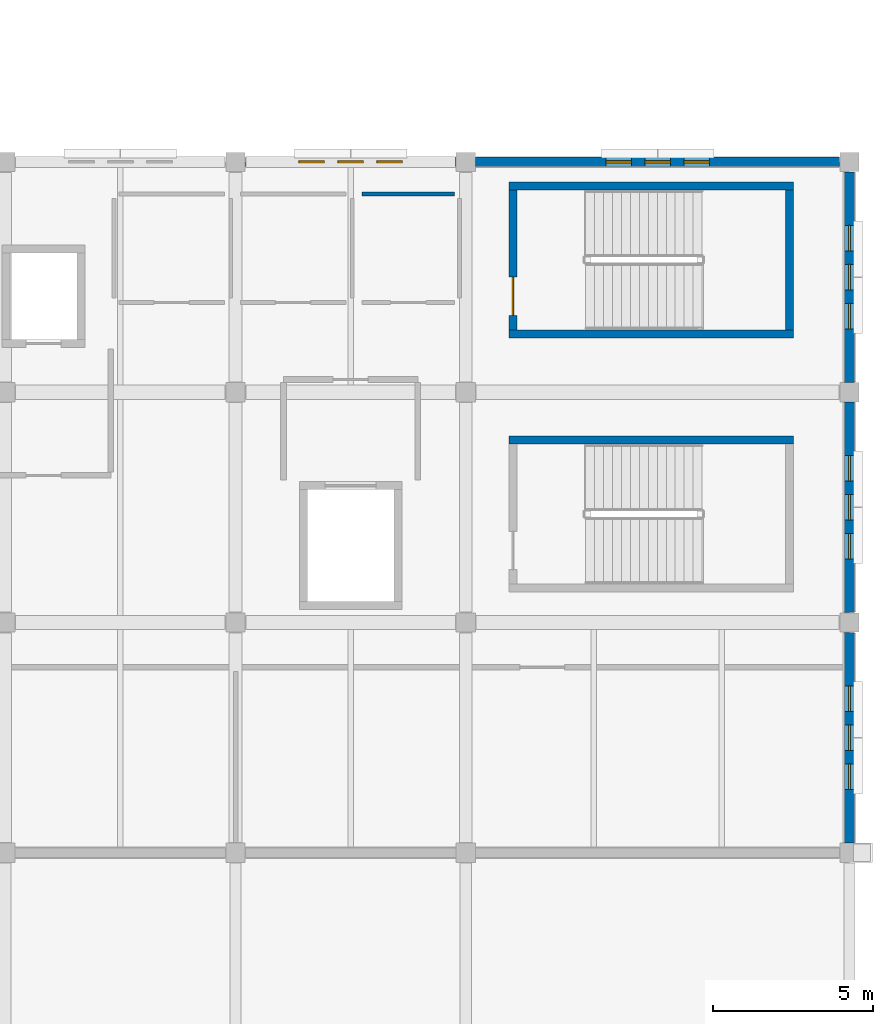
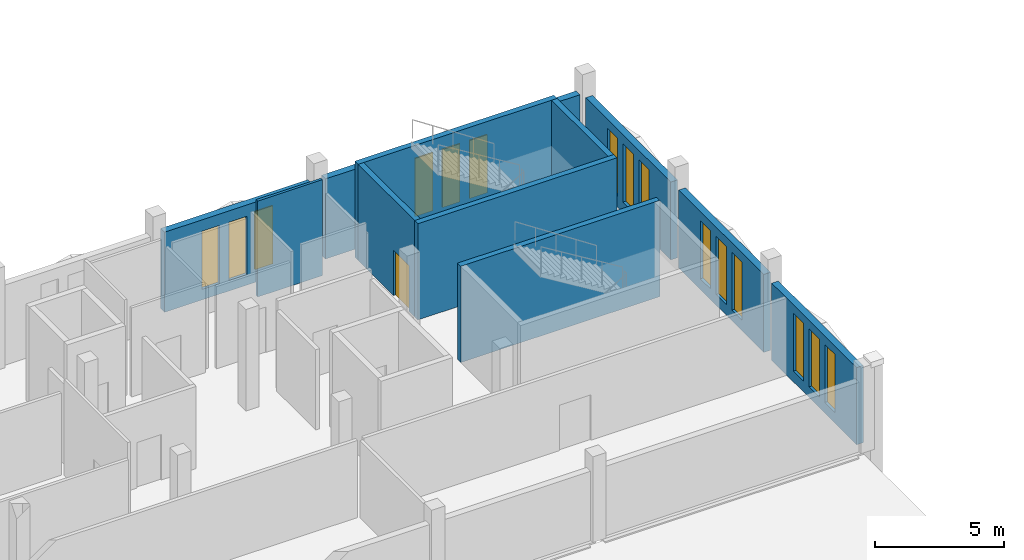
# One storey, part 12 of 23: 15 windows, 11 walls, 1 door, 16 openings.
"""IFC4 building model written with IfcOpenShell, lengths in metres."""

import ifcopenshell
import ifcopenshell.guid

model = None  # the IFC model being written
_history = None  # IfcOwnerHistory: only IFC2X3 demands one
_inside = {}  # id of a spatial element -> (the spatial element, [elements in it])
_under = {}  # id of a project, library or spatial element -> (it, [spatial elements below it])
_declared = {}  # id of a project -> (the project, [libraries it declares])
_typed = {}  # id of a type object -> (the type object, [elements of that type])
_made_of = {}  # id of a material, layer set ... -> (it, [elements and type objects made of it])


def new_model(schema):
    """Start an empty IFC model of exactly this schema.

    Asked for "IFC4X3", IfcOpenShell would pick the latest addendum, in which some entities
    have other attributes; the version numbers below select the first issue.
    IFC2X3 requires an IfcOwnerHistory on every rooted entity: one is made here for all.
    """
    global model, _history
    if schema == "IFC4X3":
        model = ifcopenshell.file(schema_version=(4, 3, 0, 0))
    else:
        model = ifcopenshell.file(schema=schema)
    _inside.clear()
    _under.clear()
    _declared.clear()
    _typed.clear()
    _made_of.clear()
    _history = None
    if model.schema == "IFC2X3":
        org = make("IfcOrganization", Name="unknown")
        user = make(
            "IfcPersonAndOrganization",
            ThePerson=make("IfcPerson", FamilyName="unknown"),
            TheOrganization=org,
        )
        app = make(
            "IfcApplication",
            ApplicationDeveloper=org,
            Version="unknown",
            ApplicationFullName="unknown",
            ApplicationIdentifier="unknown",
        )
        _history = make(
            "IfcOwnerHistory",
            OwningUser=user,
            OwningApplication=app,
            ChangeAction="ADDED",
            CreationDate=0,
        )
    return model


def make(cls, **values):
    """One entity of the class cls with the attributes given. An attribute that is None is left unset."""
    return model.create_entity(
        cls, **{name: value for name, value in values.items() if value is not None}
    )


def rooted(cls, **values):
    """An entity with a GlobalId (a new one), such as an element, a storey or a relation."""
    return make(cls, GlobalId=ifcopenshell.guid.new(), OwnerHistory=_history, **values)


def si_unit(unit_type, name, prefix=None):
    """IfcSIUnit, for example si_unit("LENGTHUNIT", "METRE", prefix="MILLI")."""
    return make("IfcSIUnit", UnitType=unit_type, Prefix=prefix, Name=name)


def assignment(units):
    """IfcUnitAssignment: the units of a project."""
    return None if units is None else make("IfcUnitAssignment", Units=units)


def point(xyz):
    """IfcCartesianPoint."""
    return None if xyz is None else make("IfcCartesianPoint", Coordinates=xyz)


def direction(xyz):
    """IfcDirection."""
    return None if xyz is None else make("IfcDirection", DirectionRatios=xyz)


def frame(location, z_axis=None, x_axis=None):
    """IfcAxis2Placement3D, a coordinate frame: its origin and axes. An axis left out is left unset."""
    return make(
        "IfcAxis2Placement3D",
        Location=point(location),
        Axis=direction(z_axis),
        RefDirection=direction(x_axis),
    )


def frame_2d(location, x_axis=None):
    """IfcAxis2Placement2D, a coordinate frame in the plane: its origin and x axis."""
    return make(
        "IfcAxis2Placement2D", Location=point(location), RefDirection=direction(x_axis)
    )


def origin():
    """The frame at (0, 0, 0) with its axes left unset."""
    return frame((0.0, 0.0, 0.0))


def place(relative_to, where):
    """IfcLocalPlacement: puts the frame where relative to a parent placement (None: the world)."""
    return make(
        "IfcLocalPlacement", PlacementRelTo=relative_to, RelativePlacement=where
    )


def context(
    kind, dimensions, precision=None, world=None, true_north=None, identifier=None
):
    """IfcGeometricRepresentationContext, for example the 3D "Model" context."""
    return make(
        "IfcGeometricRepresentationContext",
        ContextIdentifier=identifier,
        ContextType=kind,
        CoordinateSpaceDimension=dimensions,
        Precision=precision,
        WorldCoordinateSystem=world,
        TrueNorth=true_north,
    )


def subcontext(parent, identifier, kind, view, scale=None):
    """IfcGeometricRepresentationSubContext, for example "Body" below "Model"."""
    return make(
        "IfcGeometricRepresentationSubContext",
        ContextIdentifier=identifier,
        ContextType=kind,
        ParentContext=parent,
        TargetScale=scale,
        TargetView=view,
    )


def project(units=None, contexts=None):
    """IfcProject with its units and contexts."""
    return rooted(
        "IfcProject",
        Name="project",
        RepresentationContexts=contexts,
        UnitsInContext=assignment(units),
    )


def spatial(cls, under=None, at=None, **own):
    """A site, building, storey or space (cls), placed at a placement, below another one or the project."""
    s = rooted(cls, ObjectPlacement=at, **own)
    if under is not None:
        _under.setdefault(under.id(), (under, []))[1].append(s)
    return s


def profile(cls, at=None, kind="AREA", **sizes):
    """A parametric profile (cls). Its sizes go by their IFC names, for example OverallWidth=200.0."""
    return make(cls, ProfileType=kind, Position=at, **sizes)


def rectangle(**sizes):
    """IfcRectangleProfileDef."""
    return profile("IfcRectangleProfileDef", **sizes)


def extrude(swept, where, along, depth):
    """IfcExtrudedAreaSolid: the profile swept, set in the frame where, extruded along a direction by depth."""
    return make(
        "IfcExtrudedAreaSolid",
        SweptArea=swept,
        Position=where,
        ExtrudedDirection=direction(along),
        Depth=depth,
    )


def shape(context_of_items, identifier, shape_type, items):
    """IfcShapeRepresentation: the items that make up one representation, for example the "Body"."""
    return make(
        "IfcShapeRepresentation",
        ContextOfItems=context_of_items,
        RepresentationIdentifier=identifier,
        RepresentationType=shape_type,
        Items=items,
    )


def material(Name=None, Category=None):
    """IfcMaterial."""
    return make("IfcMaterial", Name=Name, Category=Category)


def layer(
    of_material, thickness, ventilated=None, Name=None, Category=None, Priority=None
):
    """IfcMaterialLayer: one layer of a wall or slab, of a material (None: an air gap)."""
    return make(
        "IfcMaterialLayer",
        Material=of_material,
        LayerThickness=thickness,
        IsVentilated=ventilated,
        Name=Name,
        Category=Category,
        Priority=Priority,
    )


def layer_set(layers, Name=None):
    """IfcMaterialLayerSet."""
    return make("IfcMaterialLayerSet", MaterialLayers=layers, LayerSetName=Name)


def made_of(thing, what):
    """Note that an element or type object is made of a material, layer set ...; save() writes the relation."""
    if what is not None:
        _made_of.setdefault(what.id(), (what, []))[1].append(thing)
    return thing


def type_object(cls, material=None, **own):
    """A type object (cls), such as IfcWallType, which elements share."""
    return made_of(rooted(cls, **own), material)


def element(
    cls,
    number,
    at=None,
    inside=None,
    cuts=None,
    type_object=None,
    material=None,
    context=None,
    identifier="Body",
    shape_type=None,
    held_by="IfcProductDefinitionShape",
    body=None,
    shapes=None,
    **own,
):
    """One element of the class cls, such as IfcWall. Its Tag is "e" and its number.

    at: its placement. inside: the storey or other place that contains it. cuts: it is an
    opening in that element (IfcRelVoidsElement). A single representation is given by context,
    identifier, shape_type and body (its items); several are given by shapes. held_by: the class
    of the entity that holds the representations. save() writes the other relations.
    """
    e = rooted(cls, Tag="e%d" % number, ObjectPlacement=at, **own)
    if body is not None:
        shapes = [shape(context, identifier, shape_type, body)]
    if shapes is not None:
        e.Representation = make(held_by, Representations=shapes)
    if inside is not None:
        _inside.setdefault(inside.id(), (inside, []))[1].append(e)
    if cuts is not None:
        rooted(
            "IfcRelVoidsElement", RelatingBuildingElement=cuts, RelatedOpeningElement=e
        )
    if type_object is not None:
        _typed.setdefault(type_object.id(), (type_object, []))[1].append(e)
    return made_of(e, material)


def fill(opening, filler):
    """IfcRelFillsElement: the door or window that sits in an opening."""
    return rooted(
        "IfcRelFillsElement",
        RelatingOpeningElement=opening,
        RelatedBuildingElement=filler,
    )


def aggregate(whole, parts):
    """IfcRelAggregates: a whole, such as a stair, and the parts it consists of."""
    return rooted("IfcRelAggregates", RelatingObject=whole, RelatedObjects=parts)


def save(model, path):
    """Write the relations noted so far, then the file.

    IfcRelAggregates (storeys below a building ...), IfcRelContainedInSpatialStructure (elements
    in a storey), IfcRelDefinesByType, IfcRelAssociatesMaterial and IfcRelDeclares: one each for
    every whole, place, type object, material and project.
    """
    for whole, parts in _under.values():
        aggregate(whole, parts)
    for where, things in _inside.values():
        rooted(
            "IfcRelContainedInSpatialStructure",
            RelatedElements=things,
            RelatingStructure=where,
        )
    for kind, things in _typed.values():
        rooted("IfcRelDefinesByType", RelatedObjects=things, RelatingType=kind)
    for what, things in _made_of.values():
        rooted("IfcRelAssociatesMaterial", RelatedObjects=things, RelatingMaterial=what)
    for by, libraries in _declared.values():
        rooted("IfcRelDeclares", RelatingContext=by, RelatedDefinitions=libraries)
    model.write(path)


model = new_model("IFC4")

# Units and contexts
model_context = context("Model", 3, precision=1e-05, world=origin(), true_north=direction((0.0, 1.0)))
body_context = subcontext(model_context, "Body", "Model", "MODEL_VIEW")
ifc_project = project(units=[si_unit("LENGTHUNIT", "METRE"), si_unit("AREAUNIT", "SQUARE_METRE"), si_unit("VOLUMEUNIT", "CUBIC_METRE"), si_unit("PLANEANGLEUNIT", "RADIAN"), si_unit("MASSUNIT", "GRAM", prefix="KILO")], contexts=[model_context])

# Site, building, storey
site_placement = place(None, origin())
site = spatial("IfcSite", under=ifc_project, at=site_placement, CompositionType="ELEMENT")
building_placement = place(site_placement, origin())
building = spatial("IfcBuilding", under=site, at=building_placement, Name="Cendralis Lancet Convention Centre", CompositionType="ELEMENT")
storey_placement = place(building_placement, frame((0.0, 0.0, 19.800048828125)))
storey = spatial("IfcBuildingStorey", under=building, at=storey_placement, Name="L04", CompositionType="ELEMENT", Elevation=19.800048828125)

# Wall, openings, windows
ifc_material_1 = material(Name="Buff sandstone ashlar and Concrete G40 (C40/50)", Category="masonry")
ifc_layer_1 = layer(ifc_material_1, 0.300048828125, Name="Buff sandstone ashlar and Concrete G40 (C40/50)")
ifc_layer_set_1 = layer_set([ifc_layer_1], Name="Buff sandstone ashlar and Concrete G40 (C40/50)")
wall_type_1 = type_object("IfcWallType", Name="ARC-EW-W300", PredefinedType="STANDARD", material=ifc_layer_set_1)
wall_1_placement = place(storey_placement, frame((189.907958984375, 36.0, 0.0), z_axis=(0.0, 0.0, 1.0), x_axis=(1.0, 0.0, 0.0)))
wall_1 = element("IfcWall", 1, at=wall_1_placement, inside=storey, type_object=wall_type_1, Name="L04 V5 Exterior Wall EW-07 #0343", PredefinedType="STANDARD", context=body_context, shape_type="SweptSolid", body=[
    extrude(rectangle(XDim=6.583984375, YDim=0.300048828125, at=frame_2d((3.2919921875, 0.0))), origin(), (0.0, 0.0, 1.0), 3.784912109375),
])
opening_1_placement = place(wall_1_placement, frame((1.672119140625, 0.0, 0.5)))
opening_1 = element("IfcOpeningElement", 2, at=opening_1_placement, cuts=wall_1, Name="Opening WN-07", PredefinedType="OPENING", context=body_context, shape_type="SweptSolid", body=[
    extrude(rectangle(XDim=0.800048828125, YDim=2.75, at=frame_2d((0.39990234375, 1.375))), frame((0.0, 0.159912109375, 0.0), z_axis=(0.0, -1.0, 0.0), x_axis=(1.0, 0.0, 0.0)), (0.0, 0.0, 1.0), 0.320068359375),
])
opening_2_placement = place(wall_1_placement, frame((2.89208984375, 0.0, 0.5)))
opening_2 = element("IfcOpeningElement", 3, at=opening_2_placement, cuts=wall_1, Name="Opening WN-07", PredefinedType="OPENING", context=body_context, shape_type="SweptSolid", body=[
    extrude(rectangle(XDim=0.800048828125, YDim=2.75, at=frame_2d((0.39990234375, 1.375))), frame((0.0, 0.159912109375, 0.0), z_axis=(0.0, -1.0, 0.0), x_axis=(1.0, 0.0, 0.0)), (0.0, 0.0, 1.0), 0.320068359375),
])
opening_3_placement = place(wall_1_placement, frame((4.112060546875, 0.0, 0.5)))
opening_3 = element("IfcOpeningElement", 4, at=opening_3_placement, cuts=wall_1, Name="Opening WN-07", PredefinedType="OPENING", context=body_context, shape_type="SweptSolid", body=[
    extrude(rectangle(XDim=0.800048828125, YDim=2.75, at=frame_2d((0.39990234375, 1.375))), frame((0.0, 0.159912109375, 0.0), z_axis=(0.0, -1.0, 0.0), x_axis=(1.0, 0.0, 0.0)), (0.0, 0.0, 1.0), 0.320068359375),
])
ifc_material_2 = material(Name="Double-glazed low-E solar-control glass", Category="glass")
window_type = type_object("IfcWindowType", Name="ARC-WN-LW07", PartitioningType="SINGLE_PANEL", PredefinedType="WINDOW", material=ifc_material_2)
window_1_placement = place(opening_1_placement, origin())
window_1 = element("IfcWindow", 5, at=window_1_placement, inside=storey, type_object=window_type, Name="Gothic Lancet Window WN-07 #0661", OverallHeight=2.75, OverallWidth=0.800048828125, PartitioningType="SINGLE_PANEL", PredefinedType="WINDOW", context=body_context, shape_type="SweptSolid", body=[
    extrude(rectangle(XDim=0.800048828125, YDim=2.75, at=frame_2d((0.39990234375, 1.375))), frame((0.0, 0.030029296875, 0.0), z_axis=(0.0, -1.0, 0.0), x_axis=(1.0, 0.0, 0.0)), (0.0, 0.0, 1.0), 0.06005859375),
])
fill(opening_1, window_1)
window_2_placement = place(opening_2_placement, origin())
window_2 = element("IfcWindow", 6, at=window_2_placement, inside=storey, type_object=window_type, Name="Gothic Lancet Window WN-07 #0662", OverallHeight=2.75, OverallWidth=0.800048828125, PartitioningType="SINGLE_PANEL", PredefinedType="WINDOW", context=body_context, shape_type="SweptSolid", body=[
    extrude(rectangle(XDim=0.800048828125, YDim=2.75, at=frame_2d((0.39990234375, 1.375))), frame((0.0, 0.030029296875, 0.0), z_axis=(0.0, -1.0, 0.0), x_axis=(1.0, 0.0, 0.0)), (0.0, 0.0, 1.0), 0.06005859375),
])
fill(opening_2, window_2)
window_3_placement = place(opening_3_placement, origin())
window_3 = element("IfcWindow", 7, at=window_3_placement, inside=storey, type_object=window_type, Name="Gothic Lancet Window WN-07 #0663", OverallHeight=2.75, OverallWidth=0.800048828125, PartitioningType="SINGLE_PANEL", PredefinedType="WINDOW", context=body_context, shape_type="SweptSolid", body=[
    extrude(rectangle(XDim=0.800048828125, YDim=2.75, at=frame_2d((0.39990234375, 1.375))), frame((0.0, 0.030029296875, 0.0), z_axis=(0.0, -1.0, 0.0), x_axis=(1.0, 0.0, 0.0)), (0.0, 0.0, 1.0), 0.06005859375),
])
fill(opening_3, window_3)

wall_2_placement = place(storey_placement, frame((197.10791015625, 36.0, 0.0), z_axis=(0.0, 0.0, 1.0), x_axis=(1.0, 0.0, 0.0)))
wall_2 = element("IfcWall", 8, at=wall_2_placement, inside=storey, type_object=wall_type_1, Name="L04 V5 Exterior Wall EW-07 #0347", PredefinedType="STANDARD", context=body_context, shape_type="SweptSolid", body=[
    extrude(rectangle(XDim=11.384033203125, YDim=0.300048828125, at=frame_2d((5.69189453125, 0.0))), origin(), (0.0, 0.0, 1.0), 3.784912109375),
])
opening_4_placement = place(wall_2_placement, frame((4.072021484375, 0.0, 0.5)))
opening_4 = element("IfcOpeningElement", 9, at=opening_4_placement, cuts=wall_2, Name="Opening WN-07", PredefinedType="OPENING", context=body_context, shape_type="SweptSolid", body=[
    extrude(rectangle(XDim=0.800048828125, YDim=2.75, at=frame_2d((0.39990234375, 1.375))), frame((0.0, 0.159912109375, 0.0), z_axis=(0.0, -1.0, 0.0), x_axis=(1.0, 0.0, 0.0)), (0.0, 0.0, 1.0), 0.320068359375),
])
opening_5_placement = place(wall_2_placement, frame((5.2919921875, 0.0, 0.5)))
opening_5 = element("IfcOpeningElement", 10, at=opening_5_placement, cuts=wall_2, Name="Opening WN-07", PredefinedType="OPENING", context=body_context, shape_type="SweptSolid", body=[
    extrude(rectangle(XDim=0.800048828125, YDim=2.75, at=frame_2d((0.39990234375, 1.375))), frame((0.0, 0.159912109375, 0.0), z_axis=(0.0, -1.0, 0.0), x_axis=(1.0, 0.0, 0.0)), (0.0, 0.0, 1.0), 0.320068359375),
])
opening_6_placement = place(wall_2_placement, frame((6.511962890625, 0.0, 0.5)))
opening_6 = element("IfcOpeningElement", 11, at=opening_6_placement, cuts=wall_2, Name="Opening WN-07", PredefinedType="OPENING", context=body_context, shape_type="SweptSolid", body=[
    extrude(rectangle(XDim=0.800048828125, YDim=2.75, at=frame_2d((0.39990234375, 1.375))), frame((0.0, 0.159912109375, 0.0), z_axis=(0.0, -1.0, 0.0), x_axis=(1.0, 0.0, 0.0)), (0.0, 0.0, 1.0), 0.320068359375),
])
window_4_placement = place(opening_4_placement, origin())
window_4 = element("IfcWindow", 12, at=window_4_placement, inside=storey, type_object=window_type, Name="Gothic Lancet Window WN-07 #0664", OverallHeight=2.75, OverallWidth=0.800048828125, PartitioningType="SINGLE_PANEL", PredefinedType="WINDOW", context=body_context, shape_type="SweptSolid", body=[
    extrude(rectangle(XDim=0.800048828125, YDim=2.75, at=frame_2d((0.39990234375, 1.375))), frame((0.0, 0.030029296875, 0.0), z_axis=(0.0, -1.0, 0.0), x_axis=(1.0, 0.0, 0.0)), (0.0, 0.0, 1.0), 0.06005859375),
])
fill(opening_4, window_4)
window_5_placement = place(opening_5_placement, origin())
window_5 = element("IfcWindow", 13, at=window_5_placement, inside=storey, type_object=window_type, Name="Gothic Lancet Window WN-07 #0665", OverallHeight=2.75, OverallWidth=0.800048828125, PartitioningType="SINGLE_PANEL", PredefinedType="WINDOW", context=body_context, shape_type="SweptSolid", body=[
    extrude(rectangle(XDim=0.800048828125, YDim=2.75, at=frame_2d((0.39990234375, 1.375))), frame((0.0, 0.030029296875, 0.0), z_axis=(0.0, -1.0, 0.0), x_axis=(1.0, 0.0, 0.0)), (0.0, 0.0, 1.0), 0.06005859375),
])
fill(opening_5, window_5)
window_6_placement = place(opening_6_placement, origin())
window_6 = element("IfcWindow", 14, at=window_6_placement, inside=storey, type_object=window_type, Name="Gothic Lancet Window WN-07 #0666", OverallHeight=2.75, OverallWidth=0.800048828125, PartitioningType="SINGLE_PANEL", PredefinedType="WINDOW", context=body_context, shape_type="SweptSolid", body=[
    extrude(rectangle(XDim=0.800048828125, YDim=2.75, at=frame_2d((0.39990234375, 1.375))), frame((0.0, 0.030029296875, 0.0), z_axis=(0.0, -1.0, 0.0), x_axis=(1.0, 0.0, 0.0)), (0.0, 0.0, 1.0), 0.06005859375),
])
fill(opening_6, window_6)

wall_3_placement = place(storey_placement, frame((208.800048828125, 21.2919921875, 0.0), z_axis=(0.0, 0.0, 1.0), x_axis=(0.0, -1.0, 0.0)))
wall_3 = element("IfcWall", 15, at=wall_3_placement, inside=storey, type_object=wall_type_1, Name="L04 V5 Exterior Wall EW-07 #0351", PredefinedType="STANDARD", context=body_context, shape_type="SweptSolid", body=[
    extrude(rectangle(XDim=6.583984375, YDim=0.300048828125, at=frame_2d((3.2919921875, 0.0))), origin(), (0.0, 0.0, 1.0), 3.64501953125),
])
opening_7_placement = place(wall_3_placement, frame((1.672119140625, 0.0, 0.5)))
opening_7 = element("IfcOpeningElement", 16, at=opening_7_placement, cuts=wall_3, Name="Opening WN-07", PredefinedType="OPENING", context=body_context, shape_type="SweptSolid", body=[
    extrude(rectangle(XDim=0.800048828125, YDim=2.75, at=frame_2d((0.39990234375, 1.375))), frame((0.0, 0.159912109375, 0.0), z_axis=(0.0, -1.0, 0.0), x_axis=(1.0, 0.0, 0.0)), (0.0, 0.0, 1.0), 0.320068359375),
])
opening_8_placement = place(wall_3_placement, frame((2.89208984375, 0.0, 0.5)))
opening_8 = element("IfcOpeningElement", 17, at=opening_8_placement, cuts=wall_3, Name="Opening WN-07", PredefinedType="OPENING", context=body_context, shape_type="SweptSolid", body=[
    extrude(rectangle(XDim=0.800048828125, YDim=2.75, at=frame_2d((0.39990234375, 1.375))), frame((0.0, 0.159912109375, 0.0), z_axis=(0.0, -1.0, 0.0), x_axis=(1.0, 0.0, 0.0)), (0.0, 0.0, 1.0), 0.320068359375),
])
opening_9_placement = place(wall_3_placement, frame((4.112060546875, 0.0, 0.5)))
opening_9 = element("IfcOpeningElement", 18, at=opening_9_placement, cuts=wall_3, Name="Opening WN-07", PredefinedType="OPENING", context=body_context, shape_type="SweptSolid", body=[
    extrude(rectangle(XDim=0.800048828125, YDim=2.75, at=frame_2d((0.39990234375, 1.375))), frame((0.0, 0.159912109375, 0.0), z_axis=(0.0, -1.0, 0.0), x_axis=(1.0, 0.0, 0.0)), (0.0, 0.0, 1.0), 0.320068359375),
])
window_7_placement = place(opening_7_placement, origin())
window_7 = element("IfcWindow", 19, at=window_7_placement, inside=storey, type_object=window_type, Name="Gothic Lancet Window WN-07 #0667", OverallHeight=2.75, OverallWidth=0.800048828125, PartitioningType="SINGLE_PANEL", PredefinedType="WINDOW", context=body_context, shape_type="SweptSolid", body=[
    extrude(rectangle(XDim=0.800048828125, YDim=2.75, at=frame_2d((0.39990234375, 1.375))), frame((0.0, 0.030029296875, 0.0), z_axis=(0.0, -1.0, 0.0), x_axis=(1.0, 0.0, 0.0)), (0.0, 0.0, 1.0), 0.06005859375),
])
fill(opening_7, window_7)
window_8_placement = place(opening_8_placement, origin())
window_8 = element("IfcWindow", 20, at=window_8_placement, inside=storey, type_object=window_type, Name="Gothic Lancet Window WN-07 #0668", OverallHeight=2.75, OverallWidth=0.800048828125, PartitioningType="SINGLE_PANEL", PredefinedType="WINDOW", context=body_context, shape_type="SweptSolid", body=[
    extrude(rectangle(XDim=0.800048828125, YDim=2.75, at=frame_2d((0.39990234375, 1.375))), frame((0.0, 0.030029296875, 0.0), z_axis=(0.0, -1.0, 0.0), x_axis=(1.0, 0.0, 0.0)), (0.0, 0.0, 1.0), 0.06005859375),
])
fill(opening_8, window_8)
window_9_placement = place(opening_9_placement, origin())
window_9 = element("IfcWindow", 21, at=window_9_placement, inside=storey, type_object=window_type, Name="Gothic Lancet Window WN-07 #0669", OverallHeight=2.75, OverallWidth=0.800048828125, PartitioningType="SINGLE_PANEL", PredefinedType="WINDOW", context=body_context, shape_type="SweptSolid", body=[
    extrude(rectangle(XDim=0.800048828125, YDim=2.75, at=frame_2d((0.39990234375, 1.375))), frame((0.0, 0.030029296875, 0.0), z_axis=(0.0, -1.0, 0.0), x_axis=(1.0, 0.0, 0.0)), (0.0, 0.0, 1.0), 0.06005859375),
])
fill(opening_9, window_9)

wall_4_placement = place(storey_placement, frame((208.800048828125, 28.491943359375, 0.0), z_axis=(0.0, 0.0, 1.0), x_axis=(0.0, -1.0, 0.0)))
wall_4 = element("IfcWall", 22, at=wall_4_placement, inside=storey, type_object=wall_type_1, Name="L04 V5 Exterior Wall EW-07 #0353", PredefinedType="STANDARD", context=body_context, shape_type="SweptSolid", body=[
    extrude(rectangle(XDim=6.583984375, YDim=0.300048828125, at=frame_2d((3.2919921875, 0.0))), origin(), (0.0, 0.0, 1.0), 3.68505859375),
])
opening_10_placement = place(wall_4_placement, frame((1.672119140625, 0.0, 0.5)))
opening_10 = element("IfcOpeningElement", 23, at=opening_10_placement, cuts=wall_4, Name="Opening WN-07", PredefinedType="OPENING", context=body_context, shape_type="SweptSolid", body=[
    extrude(rectangle(XDim=0.800048828125, YDim=2.75, at=frame_2d((0.39990234375, 1.375))), frame((0.0, 0.159912109375, 0.0), z_axis=(0.0, -1.0, 0.0), x_axis=(1.0, 0.0, 0.0)), (0.0, 0.0, 1.0), 0.320068359375),
])
opening_11_placement = place(wall_4_placement, frame((2.89208984375, 0.0, 0.5)))
opening_11 = element("IfcOpeningElement", 24, at=opening_11_placement, cuts=wall_4, Name="Opening WN-07", PredefinedType="OPENING", context=body_context, shape_type="SweptSolid", body=[
    extrude(rectangle(XDim=0.800048828125, YDim=2.75, at=frame_2d((0.39990234375, 1.375))), frame((0.0, 0.159912109375, 0.0), z_axis=(0.0, -1.0, 0.0), x_axis=(1.0, 0.0, 0.0)), (0.0, 0.0, 1.0), 0.320068359375),
])
opening_12_placement = place(wall_4_placement, frame((4.112060546875, 0.0, 0.5)))
opening_12 = element("IfcOpeningElement", 25, at=opening_12_placement, cuts=wall_4, Name="Opening WN-07", PredefinedType="OPENING", context=body_context, shape_type="SweptSolid", body=[
    extrude(rectangle(XDim=0.800048828125, YDim=2.75, at=frame_2d((0.39990234375, 1.375))), frame((0.0, 0.159912109375, 0.0), z_axis=(0.0, -1.0, 0.0), x_axis=(1.0, 0.0, 0.0)), (0.0, 0.0, 1.0), 0.320068359375),
])
window_10_placement = place(opening_10_placement, origin())
window_10 = element("IfcWindow", 26, at=window_10_placement, inside=storey, type_object=window_type, Name="Gothic Lancet Window WN-07 #0673", OverallHeight=2.75, OverallWidth=0.800048828125, PartitioningType="SINGLE_PANEL", PredefinedType="WINDOW", context=body_context, shape_type="SweptSolid", body=[
    extrude(rectangle(XDim=0.800048828125, YDim=2.75, at=frame_2d((0.39990234375, 1.375))), frame((0.0, 0.030029296875, 0.0), z_axis=(0.0, -1.0, 0.0), x_axis=(1.0, 0.0, 0.0)), (0.0, 0.0, 1.0), 0.06005859375),
])
fill(opening_10, window_10)
window_11_placement = place(opening_11_placement, origin())
window_11 = element("IfcWindow", 27, at=window_11_placement, inside=storey, type_object=window_type, Name="Gothic Lancet Window WN-07 #0674", OverallHeight=2.75, OverallWidth=0.800048828125, PartitioningType="SINGLE_PANEL", PredefinedType="WINDOW", context=body_context, shape_type="SweptSolid", body=[
    extrude(rectangle(XDim=0.800048828125, YDim=2.75, at=frame_2d((0.39990234375, 1.375))), frame((0.0, 0.030029296875, 0.0), z_axis=(0.0, -1.0, 0.0), x_axis=(1.0, 0.0, 0.0)), (0.0, 0.0, 1.0), 0.06005859375),
])
fill(opening_11, window_11)
window_12_placement = place(opening_12_placement, origin())
window_12 = element("IfcWindow", 28, at=window_12_placement, inside=storey, type_object=window_type, Name="Gothic Lancet Window WN-07 #0675", OverallHeight=2.75, OverallWidth=0.800048828125, PartitioningType="SINGLE_PANEL", PredefinedType="WINDOW", context=body_context, shape_type="SweptSolid", body=[
    extrude(rectangle(XDim=0.800048828125, YDim=2.75, at=frame_2d((0.39990234375, 1.375))), frame((0.0, 0.030029296875, 0.0), z_axis=(0.0, -1.0, 0.0), x_axis=(1.0, 0.0, 0.0)), (0.0, 0.0, 1.0), 0.06005859375),
])
fill(opening_12, window_12)

wall_5_placement = place(storey_placement, frame((208.800048828125, 35.69189453125, 0.0), z_axis=(0.0, 0.0, 1.0), x_axis=(0.0, -1.0, 0.0)))
wall_5 = element("IfcWall", 29, at=wall_5_placement, inside=storey, type_object=wall_type_1, Name="L04 V5 Exterior Wall EW-07 #0355", PredefinedType="STANDARD", context=body_context, shape_type="SweptSolid", body=[
    extrude(rectangle(XDim=6.583984375, YDim=0.300048828125, at=frame_2d((3.2919921875, 0.0))), origin(), (0.0, 0.0, 1.0), 3.68505859375),
])
opening_13_placement = place(wall_5_placement, frame((1.672119140625, 0.0, 0.5)))
opening_13 = element("IfcOpeningElement", 30, at=opening_13_placement, cuts=wall_5, Name="Opening WN-07", PredefinedType="OPENING", context=body_context, shape_type="SweptSolid", body=[
    extrude(rectangle(XDim=0.800048828125, YDim=2.75, at=frame_2d((0.39990234375, 1.375))), frame((0.0, 0.159912109375, 0.0), z_axis=(0.0, -1.0, 0.0), x_axis=(1.0, 0.0, 0.0)), (0.0, 0.0, 1.0), 0.320068359375),
])
opening_14_placement = place(wall_5_placement, frame((2.89208984375, 0.0, 0.5)))
opening_14 = element("IfcOpeningElement", 31, at=opening_14_placement, cuts=wall_5, Name="Opening WN-07", PredefinedType="OPENING", context=body_context, shape_type="SweptSolid", body=[
    extrude(rectangle(XDim=0.800048828125, YDim=2.75, at=frame_2d((0.39990234375, 1.375))), frame((0.0, 0.159912109375, 0.0), z_axis=(0.0, -1.0, 0.0), x_axis=(1.0, 0.0, 0.0)), (0.0, 0.0, 1.0), 0.320068359375),
])
opening_15_placement = place(wall_5_placement, frame((4.112060546875, 0.0, 0.5)))
opening_15 = element("IfcOpeningElement", 32, at=opening_15_placement, cuts=wall_5, Name="Opening WN-07", PredefinedType="OPENING", context=body_context, shape_type="SweptSolid", body=[
    extrude(rectangle(XDim=0.800048828125, YDim=2.75, at=frame_2d((0.39990234375, 1.375))), frame((0.0, 0.159912109375, 0.0), z_axis=(0.0, -1.0, 0.0), x_axis=(1.0, 0.0, 0.0)), (0.0, 0.0, 1.0), 0.320068359375),
])
window_13_placement = place(opening_13_placement, origin())
window_13 = element("IfcWindow", 33, at=window_13_placement, inside=storey, type_object=window_type, Name="Gothic Lancet Window WN-07 #0676", OverallHeight=2.75, OverallWidth=0.800048828125, PartitioningType="SINGLE_PANEL", PredefinedType="WINDOW", context=body_context, shape_type="SweptSolid", body=[
    extrude(rectangle(XDim=0.800048828125, YDim=2.75, at=frame_2d((0.39990234375, 1.375))), frame((0.0, 0.030029296875, 0.0), z_axis=(0.0, -1.0, 0.0), x_axis=(1.0, 0.0, 0.0)), (0.0, 0.0, 1.0), 0.06005859375),
])
fill(opening_13, window_13)
window_14_placement = place(opening_14_placement, origin())
window_14 = element("IfcWindow", 34, at=window_14_placement, inside=storey, type_object=window_type, Name="Gothic Lancet Window WN-07 #0677", OverallHeight=2.75, OverallWidth=0.800048828125, PartitioningType="SINGLE_PANEL", PredefinedType="WINDOW", context=body_context, shape_type="SweptSolid", body=[
    extrude(rectangle(XDim=0.800048828125, YDim=2.75, at=frame_2d((0.39990234375, 1.375))), frame((0.0, 0.030029296875, 0.0), z_axis=(0.0, -1.0, 0.0), x_axis=(1.0, 0.0, 0.0)), (0.0, 0.0, 1.0), 0.06005859375),
])
fill(opening_14, window_14)
window_15_placement = place(opening_15_placement, origin())
window_15 = element("IfcWindow", 35, at=window_15_placement, inside=storey, type_object=window_type, Name="Gothic Lancet Window WN-07 #0678", OverallHeight=2.75, OverallWidth=0.800048828125, PartitioningType="SINGLE_PANEL", PredefinedType="WINDOW", context=body_context, shape_type="SweptSolid", body=[
    extrude(rectangle(XDim=0.800048828125, YDim=2.75, at=frame_2d((0.39990234375, 1.375))), frame((0.0, 0.030029296875, 0.0), z_axis=(0.0, -1.0, 0.0), x_axis=(1.0, 0.0, 0.0)), (0.0, 0.0, 1.0), 0.06005859375),
])
fill(opening_15, window_15)

# Walls
ifc_material_3 = material(Name="Acoustic fire-rated gypsum board on steel studs", Category="steel")
ifc_layer_2 = layer(ifc_material_3, 0.1201171875, Name="Acoustic fire-rated gypsum board on steel studs")
ifc_layer_set_2 = layer_set([ifc_layer_2], Name="Acoustic fire-rated gypsum board on steel studs")
wall_type_2 = type_object("IfcWallType", Name="ARC-IW-P120", PredefinedType="PARTITIONING", material=ifc_layer_set_2)
wall_6_placement = place(storey_placement, frame((193.550048828125, 35.0, 0.0), z_axis=(0.0, 0.0, 1.0), x_axis=(1.0, 0.0, 0.0)))
element("IfcWall", 36, at=wall_6_placement, inside=storey, type_object=wall_type_2, Name="L04 Interior Partition IW-05 #0439", PredefinedType="PARTITIONING", context=body_context, shape_type="SweptSolid", body=[
    extrude(rectangle(XDim=2.89990234375, YDim=0.1201171875, at=frame_2d((1.449951171875, 0.0))), origin(), (0.0, 0.0, 1.0), 4.534912109375),
])
ifc_material_4 = material(Name="Concrete G40 (C40/50)", Category="concrete")
ifc_layer_3 = layer(ifc_material_4, 0.25, Name="Concrete G40 (C40/50)")
ifc_layer_set_3 = layer_set([ifc_layer_3], Name="Concrete G40 (C40/50)")
wall_type_3 = type_object("IfcWallType", Name="STR-SW-CW250", PredefinedType="SHEAR", material=ifc_layer_set_3)
wall_7_placement = place(storey_placement, frame((198.14990234375, 27.304931640625, 0.0), z_axis=(0.0, 0.0, 1.0), x_axis=(1.0, 0.0, 0.0)))
element("IfcWall", 37, at=wall_7_placement, inside=storey, type_object=wall_type_3, Name="L04 Stair Core ST-15 North Shear Wall", PredefinedType="SHEAR", context=body_context, shape_type="SweptSolid", body=[
    extrude(rectangle(XDim=8.900146484375, YDim=0.25, at=frame_2d((4.4501953125, 0.0))), origin(), (0.0, 0.0, 1.0), 4.550048828125),
])

# Wall, opening, door
wall_8_placement = place(storey_placement, frame((198.27490234375, 30.75, 0.0), z_axis=(0.0, 0.0, 1.0), x_axis=(0.0, 1.0, 0.0)))
wall_8 = element("IfcWall", 38, at=wall_8_placement, inside=storey, type_object=wall_type_3, Name="L04 Stair Core ST-16 West Shear Wall", PredefinedType="SHEAR", context=body_context, shape_type="SweptSolid", body=[
    extrude(rectangle(XDim=4.3798828125, YDim=0.25, at=frame_2d((2.18994140625, 0.0))), origin(), (0.0, 0.0, 1.0), 4.550048828125),
])
opening_16_placement = place(wall_8_placement, frame((0.449951171875, 0.0, 0.0)))
opening_16 = element("IfcOpeningElement", 39, at=opening_16_placement, cuts=wall_8, Name="Opening SD-12", PredefinedType="OPENING", context=body_context, shape_type="SweptSolid", body=[
    extrude(rectangle(XDim=1.199951171875, YDim=2.14990234375, at=frame_2d((0.60009765625, 1.074951171875))), frame((0.0, 0.135009765625, 0.0), z_axis=(0.0, -1.0, 0.0), x_axis=(1.0, 0.0, 0.0)), (0.0, 0.0, 1.0), 0.27001953125),
])
ifc_material_5 = material(Name="Steel S355", Category="steel")
door_type = type_object("IfcDoorType", Name="ARC-DR-ST12", OperationType="NOTDEFINED", PredefinedType="DOOR", material=ifc_material_5)
door_placement = place(opening_16_placement, frame((1.199951171875, 0.0, 0.0), z_axis=(0.0, 0.0, 1.0), x_axis=(-1.0, 0.0, 0.0)))
door = element("IfcDoor", 40, at=door_placement, inside=storey, type_object=door_type, Name="L04-D036 L04 Exit Stair ST-16 Fire Door", OperationType="SINGLE_SWING_RIGHT", OverallHeight=2.14990234375, OverallWidth=1.199951171875, PredefinedType="DOOR", context=body_context, shape_type="SweptSolid", body=[
    extrude(rectangle(XDim=1.199951171875, YDim=2.14990234375, at=frame_2d((0.60009765625, 1.074951171875))), frame((0.0, 0.02490234375, 0.0), z_axis=(0.0, -1.0, 0.0), x_axis=(1.0, 0.0, 0.0)), (0.0, 0.0, 1.0), 0.050048828125),
])
fill(opening_16, door)

# Walls
wall_9_placement = place(storey_placement, frame((206.925048828125, 30.75, 0.0), z_axis=(0.0, 0.0, 1.0), x_axis=(0.0, 1.0, 0.0)))
element("IfcWall", 41, at=wall_9_placement, inside=storey, type_object=wall_type_3, Name="L04 Stair Core ST-16 East Shear Wall", PredefinedType="SHEAR", context=body_context, shape_type="SweptSolid", body=[
    extrude(rectangle(XDim=4.3798828125, YDim=0.25, at=frame_2d((2.18994140625, 0.0))), origin(), (0.0, 0.0, 1.0), 4.550048828125),
])
for number, where, z_axis, x_axis, name in (
    (42, (198.14990234375, 30.625, 0.0), (0.0, 0.0, 1.0), (1.0, 0.0, 0.0), "L04 Stair Core ST-16 South Shear Wall"),
    (43, (198.14990234375, 35.2548828125, 0.0), (0.0, 0.0, 1.0), (1.0, 0.0, 0.0), "L04 Stair Core ST-16 North Shear Wall"),
):
    element("IfcWall", number, at=place(storey_placement, frame(where, z_axis=z_axis, x_axis=x_axis)), inside=storey, type_object=wall_type_3, Name=name, PredefinedType="SHEAR", context=body_context, shape_type="SweptSolid", body=[
        extrude(rectangle(XDim=8.900146484375, YDim=0.25, at=frame_2d((4.4501953125, 0.0))), origin(), (0.0, 0.0, 1.0), 4.550048828125),
    ])

save(model, "model.ifc")
